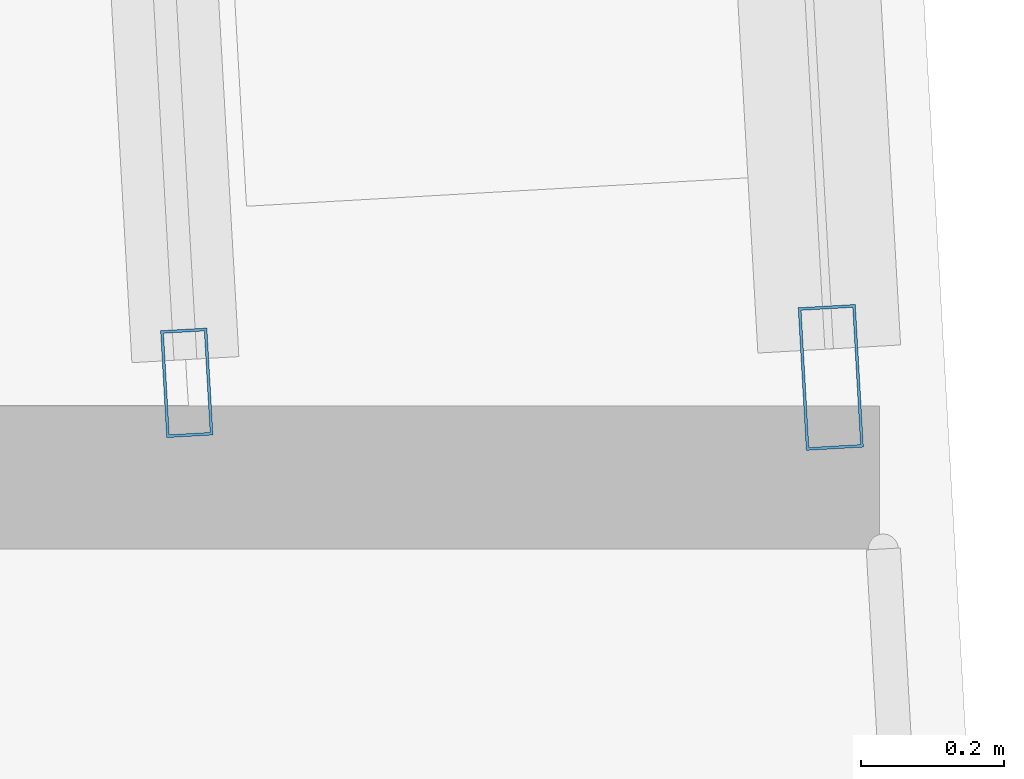
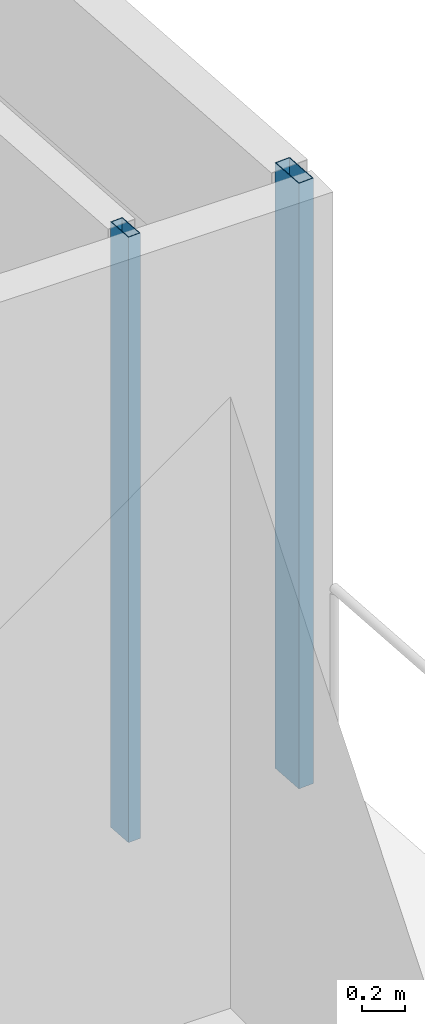
# One storey, part 11 of 34: 2 members, 2 elements without a shape of their own.
"""IFC4 building model written with IfcOpenShell, lengths in metres."""

from ifc_helpers import new_model, si_unit, direction, frame, origin, origin_2d, place, context, subcontext, project, spatial, hollow_rectangle, extrude, material, material_profile, profile_set, type_object, element, aggregate, save


model = new_model("IFC4")

# Units and contexts
model_context = context("Model", 3, precision=1e-05, world=origin(), true_north=direction((0.0, 1.0)))
body_context = subcontext(model_context, "Body", "Model", "MODEL_VIEW")
ifc_project = project(units=[si_unit("LENGTHUNIT", "METRE"), si_unit("AREAUNIT", "SQUARE_METRE"), si_unit("VOLUMEUNIT", "CUBIC_METRE"), si_unit("PLANEANGLEUNIT", "RADIAN"), si_unit("MASSUNIT", "GRAM", prefix="KILO")], contexts=[model_context])

# Site, building, storey
site_placement = place(None, origin())
site = spatial("IfcSite", under=ifc_project, at=site_placement, CompositionType="ELEMENT")
building_placement = place(site_placement, origin())
building = spatial("IfcBuilding", under=site, at=building_placement, Name="Rekha Terrace Tower", CompositionType="ELEMENT")
storey_placement = place(building_placement, frame((0.0, 0.0, 236.449951171875)))
storey = spatial("IfcBuildingStorey", under=building, at=storey_placement, Name="L60", CompositionType="ELEMENT", Elevation=236.449951171875)

# Curtain wall, member
ifc_material_1 = material(Name="Aluminium framing", Category="aluminium")
curtain_wall_type_1 = type_object("IfcCurtainWallType", Name="CW1 double skin inner glazing", PredefinedType="USERDEFINED", material=ifc_material_1)
curtain_wall_1_placement = place(storey_placement, origin())
curtain_wall_1 = element("IfcCurtainWall", 1, at=curtain_wall_1_placement, inside=storey, type_object=curtain_wall_type_1, Name="CW1 double skin inner glazing", ObjectType="DOUBLE SKIN INNER GLAZING", PredefinedType="USERDEFINED")
ifc_material_2 = material(Name="Aluminium mullion section", Category="aluminium")
ifc_material_profile_1 = material_profile(ifc_material_2, hollow_rectangle(XDim=0.06494140625, YDim=0.14990234375, WallThickness=0.00390625, at=origin_2d()), Name="AL RHS 65x150")
ifc_profile_set_1 = profile_set([ifc_material_profile_1], Name="Aluminium mullion section")
member_type_1 = type_object("IfcMemberType", Name="CW1 mullion RHS 65 x 150", PredefinedType="MULLION", material=ifc_profile_set_1)
member_1_placement = place(storey_placement, frame((60.28466796875, 44.660400390625, 0.0), z_axis=(0.0, 0.0, 1.0), x_axis=(-0.998392782917, -0.056673194894, 0.0)))
member_1 = element("IfcMember", 2, at=member_1_placement, type_object=member_type_1, Name="CW1 mullion 1", PredefinedType="MULLION", context=body_context, shape_type="SweptSolid", body=[
    extrude(hollow_rectangle(XDim=0.06494140625, YDim=0.14990234375, WallThickness=0.00390625, at=origin_2d()), origin(), (0.0, 0.0, 1.0), 3.400146484375),
])
aggregate(curtain_wall_1, [member_1])

curtain_wall_type_2 = type_object("IfcCurtainWallType", Name="CW2 double skin outer glazing", PredefinedType="USERDEFINED", material=ifc_material_1)
curtain_wall_2_placement = place(storey_placement, origin())
curtain_wall_2 = element("IfcCurtainWall", 3, at=curtain_wall_2_placement, inside=storey, type_object=curtain_wall_type_2, Name="CW2 double skin outer glazing", ObjectType="DOUBLE SKIN OUTER GLAZING", PredefinedType="USERDEFINED")
ifc_material_profile_2 = material_profile(ifc_material_2, hollow_rectangle(XDim=0.080078125, YDim=0.199951171875, WallThickness=0.00390625, at=origin_2d()), Name="AL RHS 80x200")
ifc_profile_set_2 = profile_set([ifc_material_profile_2], Name="Aluminium mullion section")
member_type_2 = type_object("IfcMemberType", Name="CW2 mullion RHS 80 x 200", PredefinedType="MULLION", material=ifc_profile_set_2)
member_2_placement = place(storey_placement, frame((61.185546875, 44.66796875, 0.0), z_axis=(0.0, 0.0, 1.0), x_axis=(-0.998392782919, -0.05667319486, 0.0)))
member_2 = element("IfcMember", 4, at=member_2_placement, type_object=member_type_2, Name="CW2 mullion 1", PredefinedType="MULLION", context=body_context, shape_type="SweptSolid", body=[
    extrude(hollow_rectangle(XDim=0.080078125, YDim=0.199951171875, WallThickness=0.00390625, at=origin_2d()), origin(), (0.0, 0.0, 1.0), 3.400146484375),
])
aggregate(curtain_wall_2, [member_2])

save(model, "model.ifc")
